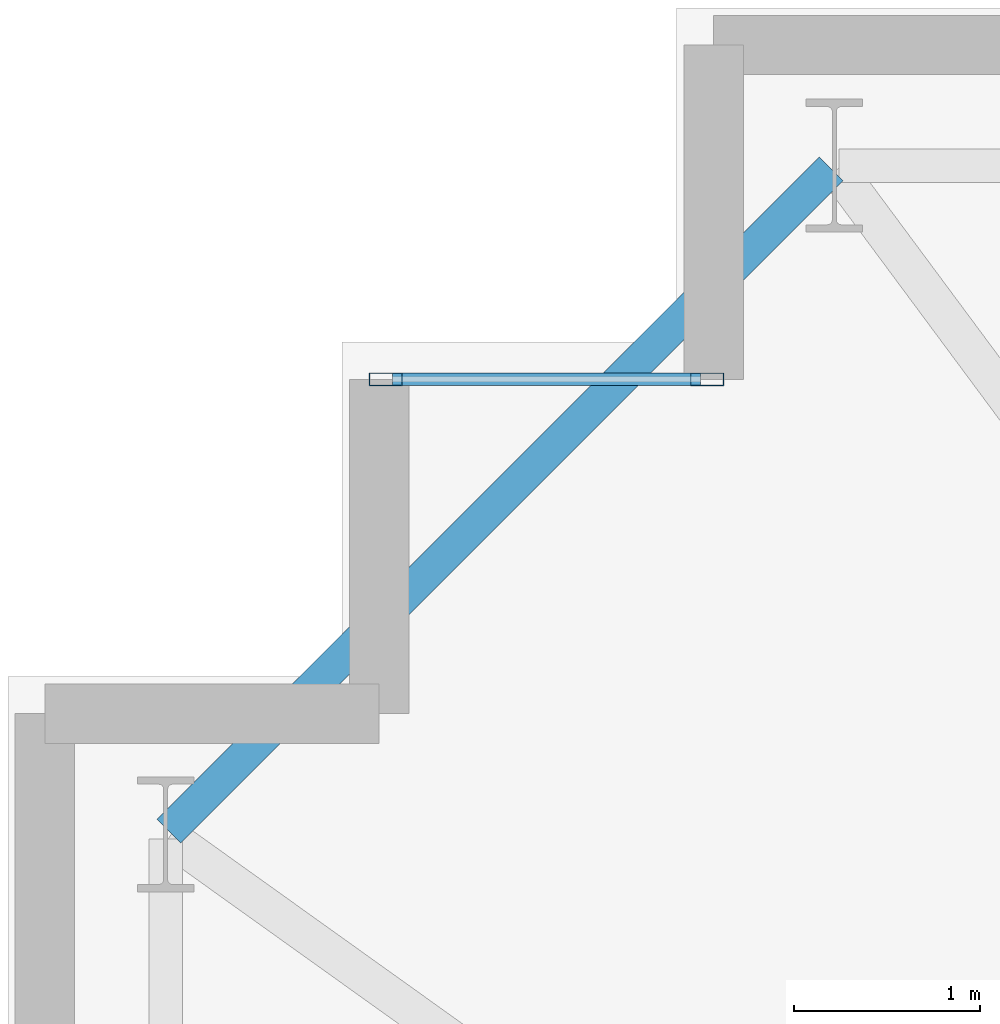
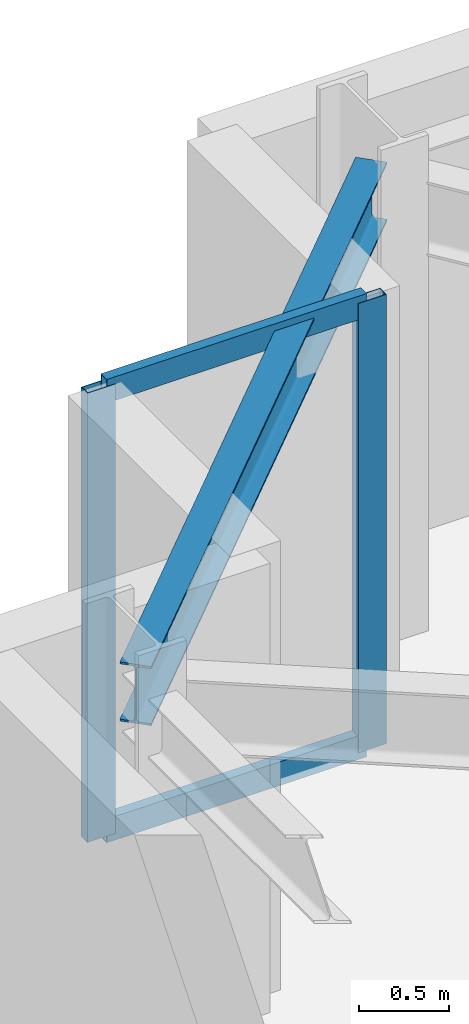
# One storey, part 8 of 21: 4 members, 1 beam, 1 element without a shape of its own.
"""IFC4 building model written with IfcOpenShell, lengths in metres."""

from ifc_helpers import new_model, si_unit, direction, frame, origin, origin_2d, place, context, subcontext, project, spatial, hollow_rectangle, i_section, extrude, material, layer, layer_set, material_profile, profile_set, type_object, element, aggregate, save


model = new_model("IFC4")

# Units and contexts
model_context = context("Model", 3, precision=1e-05, world=origin(), true_north=direction((0.0, 1.0)))
body_context = subcontext(model_context, "Body", "Model", "MODEL_VIEW")
ifc_project = project(units=[si_unit("LENGTHUNIT", "METRE"), si_unit("AREAUNIT", "SQUARE_METRE"), si_unit("VOLUMEUNIT", "CUBIC_METRE"), si_unit("PLANEANGLEUNIT", "RADIAN"), si_unit("MASSUNIT", "GRAM", prefix="KILO")], contexts=[model_context])

# Site, building, storey
site_placement = place(None, origin())
site = spatial("IfcSite", under=ifc_project, at=site_placement, CompositionType="ELEMENT")
building_placement = place(site_placement, origin())
building = spatial("IfcBuilding", under=site, at=building_placement, Name="Qobustan Lattice House", CompositionType="ELEMENT")
storey_placement = place(building_placement, frame((0.0, 0.0, 57.14990234375)))
storey = spatial("IfcBuildingStorey", under=building, at=storey_placement, Name="L15", CompositionType="ELEMENT", Elevation=57.14990234375)

# Beam
ifc_material_1 = material(Name="Steel S355", Category="steel")
ifc_material_profile_1 = material_profile(ifc_material_1, i_section(OverallWidth=0.179931640625, OverallDepth=0.39990234375, WebThickness=0.008544921875, FlangeThickness=0.013427734375, FilletRadius=0.02099609375, at=origin_2d()), Name="IPE400")
ifc_profile_set_1 = profile_set([ifc_material_profile_1], Name="Steel S355")
beam_type = type_object("IfcBeamType", Name="BM-SPD-IPE400", PredefinedType="SPANDREL", material=ifc_profile_set_1)
beam_placement = place(storey_placement, frame((-28.567626953125, 18.732421875, 2.835205078125), z_axis=(-0.707106781187, -0.707106781187, 0.0), x_axis=(0.707106781187, -0.707106781187, 0.0)))
element("IfcBeam", 1, at=beam_placement, inside=storey, type_object=beam_type, Name="L15 perimeter spandrel N7-W1", PredefinedType="SPANDREL", context=body_context, shape_type="SweptSolid", body=[
    extrude(i_section(OverallWidth=0.179931640625, OverallDepth=0.39990234375, WebThickness=0.008544921875, FlangeThickness=0.013427734375, FilletRadius=0.02099609375, at=origin_2d()), origin(), (0.0, 0.0, 1.0), 5.041259765625),
])

# Curtain wall, members
ifc_material_2 = material(Name="Anodised aluminium and low-E glazing", Category="aluminium")
ifc_layer = layer(ifc_material_2, 0.219970703125)
ifc_layer_set = layer_set([ifc_layer], Name="Anodised aluminium and low-E glazing")
curtain_wall_type = type_object("IfcCurtainWallType", Name="CW-FAC-01", PredefinedType="USERDEFINED", material=ifc_layer_set)
curtain_wall_placement = place(storey_placement, origin())
curtain_wall = element("IfcCurtainWall", 2, at=curtain_wall_placement, inside=storey, type_object=curtain_wall_type, Name="L15 serrated corner faceted glazing 8", ObjectType="CURTAIN WALL", PredefinedType="USERDEFINED")
ifc_material_3 = material(Name="Anodised aluminium EN AW-6063 T6", Category="aluminium")
ifc_material_profile_2 = material_profile(ifc_material_3, hollow_rectangle(XDim=0.070068359375, YDim=0.179931640625, WallThickness=0.00439453125, at=origin_2d()), Name="CWM-180x70")
ifc_profile_set_2 = profile_set([ifc_material_profile_2], Name="Anodised aluminium EN AW-6063 T6")
member_type_1 = type_object("IfcMemberType", Name="CWM-STD-180", PredefinedType="MULLION", material=ifc_profile_set_2)
member_1_placement = place(storey_placement, frame((-30.965087890625, 17.60009765625, 0.0), z_axis=(0.0, 0.0, 1.0), x_axis=(0.0, 1.0, 0.0)))
member_1 = element("IfcMember", 3, at=member_1_placement, type_object=member_type_1, Name="CW-F1 mullion 1", PredefinedType="MULLION", context=body_context, shape_type="SweptSolid", body=[
    extrude(hollow_rectangle(XDim=0.070068359375, YDim=0.179931640625, WallThickness=0.00439453125, at=origin_2d()), origin(), (0.0, 0.0, 1.0), 3.03515625),
])
member_2_placement = place(storey_placement, frame((-29.235107421875, 17.60009765625, 0.0), z_axis=(0.0, 0.0, 1.0), x_axis=(0.0, 1.0, 0.0)))
member_2 = element("IfcMember", 4, at=member_2_placement, type_object=member_type_1, Name="CW-F1 mullion 2", PredefinedType="MULLION", context=body_context, shape_type="SweptSolid", body=[
    extrude(hollow_rectangle(XDim=0.070068359375, YDim=0.179931640625, WallThickness=0.00439453125, at=origin_2d()), origin(), (0.0, 0.0, 1.0), 3.03515625),
])
ifc_material_4 = material(Name="Anodised aluminium EN AW-6063 T6", Category="aluminium")
ifc_material_profile_3 = material_profile(ifc_material_4, hollow_rectangle(XDim=0.06494140625, YDim=0.159912109375, WallThickness=0.00390625, at=origin_2d()), Name="CWT-160x65")
ifc_profile_set_3 = profile_set([ifc_material_profile_3], Name="Anodised aluminium EN AW-6063 T6")
member_type_2 = type_object("IfcMemberType", Name="CWT-HOR-160", PredefinedType="USERDEFINED", material=ifc_profile_set_3)
member_3_placement = place(storey_placement, frame((-30.929931640625, 17.60009765625, 0.03271484375), z_axis=(1.0, 0.0, 0.0), x_axis=(0.0, 1.0, 0.0)))
member_3 = element("IfcMember", 5, at=member_3_placement, type_object=member_type_2, Name="CW-F1 transom 1.1", ObjectType="TRANSOM", PredefinedType="USERDEFINED", context=body_context, shape_type="SweptSolid", body=[
    extrude(hollow_rectangle(XDim=0.06494140625, YDim=0.159912109375, WallThickness=0.00390625, at=origin_2d()), origin(), (0.0, 0.0, 1.0), 1.659912109375),
])
member_4_placement = place(storey_placement, frame((-30.929931640625, 17.60009765625, 3.002685546875), z_axis=(1.0, 0.0, 0.0), x_axis=(0.0, 1.0, 0.0)))
member_4 = element("IfcMember", 6, at=member_4_placement, type_object=member_type_2, Name="CW-F1 transom 1.2", ObjectType="TRANSOM", PredefinedType="USERDEFINED", context=body_context, shape_type="SweptSolid", body=[
    extrude(hollow_rectangle(XDim=0.06494140625, YDim=0.159912109375, WallThickness=0.00390625, at=origin_2d()), origin(), (0.0, 0.0, 1.0), 1.659912109375),
])
aggregate(curtain_wall, [member_1, member_2, member_3, member_4])

save(model, "model.ifc")
